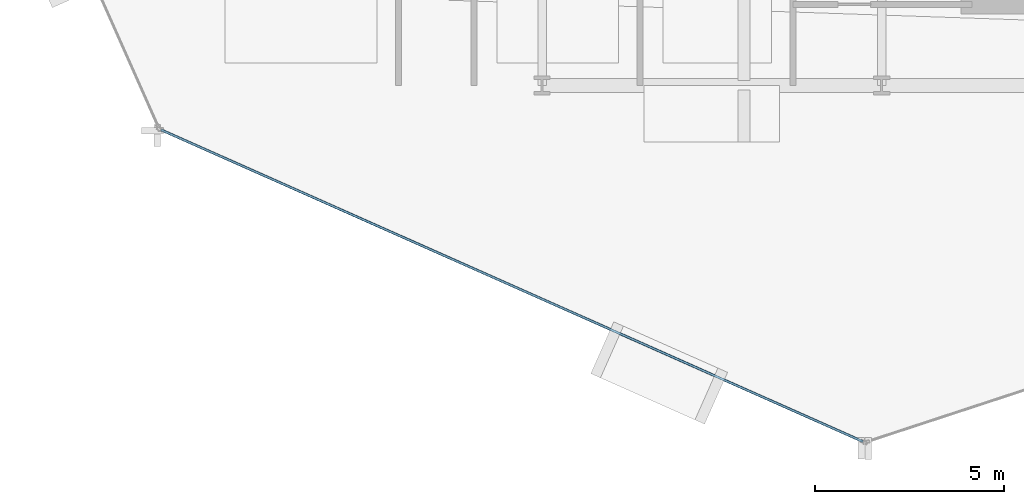
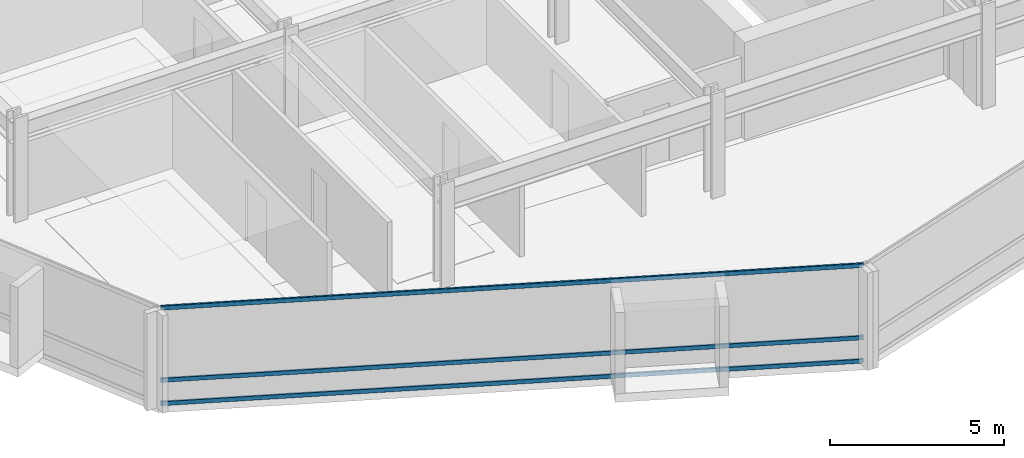
# One storey, part 3 of 34: 3 members, 1 element without a shape of its own.
"""IFC4 building model written with IfcOpenShell, lengths in metres."""

from ifc_helpers import new_model, si_unit, direction, frame, origin, origin_2d, place, context, subcontext, project, spatial, hollow_rectangle, extrude, material, layer, layer_set, material_profile, profile_set, type_object, element, aggregate, save


model = new_model("IFC4")

# Units and contexts
model_context = context("Model", 3, precision=1e-05, world=origin(), true_north=direction((0.0, 1.0)))
body_context = subcontext(model_context, "Body", "Model", "MODEL_VIEW")
ifc_project = project(units=[si_unit("LENGTHUNIT", "METRE"), si_unit("AREAUNIT", "SQUARE_METRE"), si_unit("VOLUMEUNIT", "CUBIC_METRE"), si_unit("PLANEANGLEUNIT", "RADIAN"), si_unit("MASSUNIT", "GRAM", prefix="KILO")], contexts=[model_context])

# Site, building, storey
site_placement = place(None, origin())
site = spatial("IfcSite", under=ifc_project, at=site_placement, CompositionType="ELEMENT")
building_placement = place(site_placement, origin())
building = spatial("IfcBuilding", under=site, at=building_placement, Name="Solvaryn Broadcast Tower", CompositionType="ELEMENT")
storey_placement = place(building_placement, frame((0.0, 0.0, 47.10009765625)))
storey = spatial("IfcBuildingStorey", under=building, at=storey_placement, Name="L10", CompositionType="ELEMENT", Elevation=47.10009765625)

# Curtain wall, members
ifc_material_1 = material(Name="Aluminium and Terracotta Unitised Curtain Wall", Category="masonry")
ifc_layer = layer(ifc_material_1, 0.199951171875)
ifc_layer_set = layer_set([ifc_layer], Name="CW-SYS2-LOWMID")
curtain_wall_type = type_object("IfcCurtainWallType", Name="CW-SYS2-LOWMID", PredefinedType="NOTDEFINED", material=ifc_layer_set)
curtain_wall_placement = place(storey_placement, origin())
curtain_wall = element("IfcCurtainWall", 1, at=curtain_wall_placement, inside=storey, type_object=curtain_wall_type, Name="L10 Curtain Wall DR3", PredefinedType="NOTDEFINED")
ifc_material_2 = material(Name="Anodised Aluminium 6063-T6", Category="aluminium")
ifc_material_profile = material_profile(ifc_material_2, hollow_rectangle(XDim=0.06494140625, YDim=0.14990234375, WallThickness=0.00390625, InnerFilletRadius=0.00390625, OuterFilletRadius=0.008056640625, at=origin_2d()))
ifc_profile_set = profile_set([ifc_material_profile], Name="Anodised Aluminium 6063-T6")
member_type = type_object("IfcMemberType", Name="CW-TRN-150", PredefinedType="USERDEFINED", material=ifc_profile_set)
member_1_placement = place(storey_placement, frame((7.90185546875, 7.82275390625, 0.02978515625), z_axis=(0.913914888191, -0.405905872269, 0.0), x_axis=(0.405905872269, 0.913914888191, 0.0)))
member_1 = element("IfcMember", 2, at=member_1_placement, type_object=member_type, Name="CWS2 transom 1.1", ObjectType="TRANSOM", PredefinedType="USERDEFINED", context=body_context, shape_type="SweptSolid", body=[
    extrude(hollow_rectangle(XDim=0.06494140625, YDim=0.14990234375, WallThickness=0.00390625, InnerFilletRadius=0.00390625, OuterFilletRadius=0.008056640625, at=origin_2d()), origin(), (0.0, 0.0, 1.0), 20.35546875),
])
member_2_placement = place(storey_placement, frame((7.90185546875, 7.82275390625, 0.849853515625), z_axis=(0.913914888191, -0.405905872269, 0.0), x_axis=(0.405905872269, 0.913914888191, 0.0)))
member_2 = element("IfcMember", 3, at=member_2_placement, type_object=member_type, Name="CWS2 transom 1.2", ObjectType="TRANSOM", PredefinedType="USERDEFINED", context=body_context, shape_type="SweptSolid", body=[
    extrude(hollow_rectangle(XDim=0.06494140625, YDim=0.14990234375, WallThickness=0.00390625, InnerFilletRadius=0.00390625, OuterFilletRadius=0.008056640625, at=origin_2d()), origin(), (0.0, 0.0, 1.0), 20.35546875),
])
member_3_placement = place(storey_placement, frame((7.90185546875, 7.82275390625, 3.389892578125), z_axis=(0.913914888191, -0.405905872269, 0.0), x_axis=(0.405905872269, 0.913914888191, 0.0)))
member_3 = element("IfcMember", 4, at=member_3_placement, type_object=member_type, Name="CWS2 transom 1.3", ObjectType="TRANSOM", PredefinedType="USERDEFINED", context=body_context, shape_type="SweptSolid", body=[
    extrude(hollow_rectangle(XDim=0.06494140625, YDim=0.14990234375, WallThickness=0.00390625, InnerFilletRadius=0.00390625, OuterFilletRadius=0.008056640625, at=origin_2d()), origin(), (0.0, 0.0, 1.0), 20.35546875),
])
aggregate(curtain_wall, [member_1, member_2, member_3])

save(model, "model.ifc")
